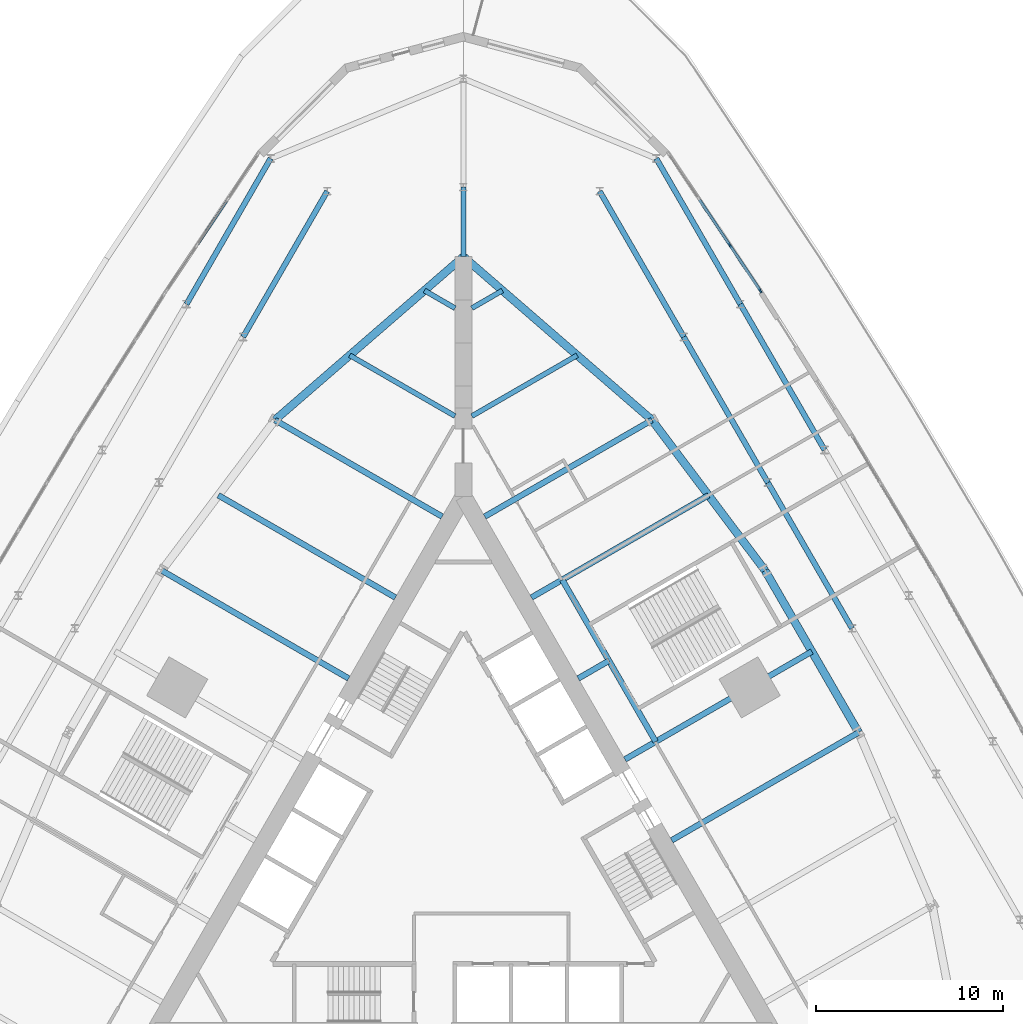
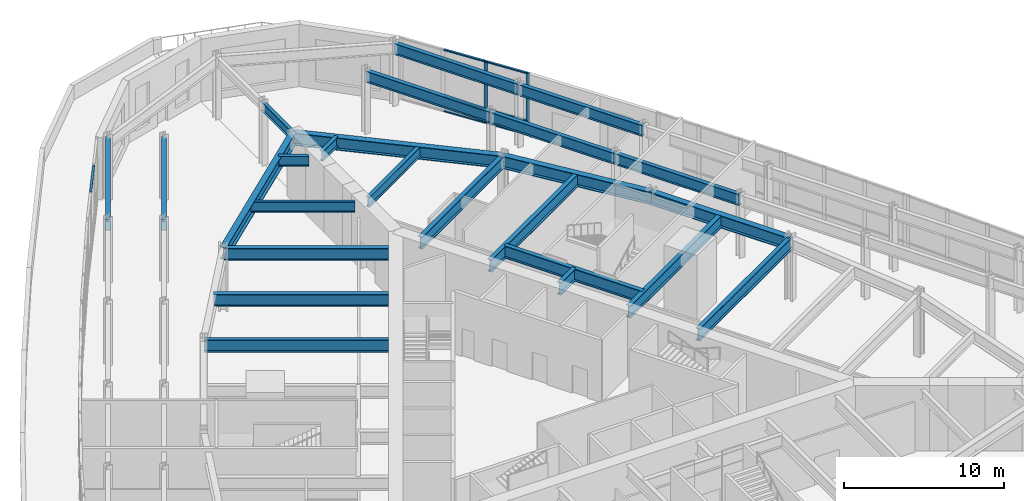
# One storey, part 6 of 20: 25 beams, 9 members, 2 elements without a shape of their own.
"""IFC4 building model written with IfcOpenShell, lengths in metres."""

from ifc_helpers import new_model, si_unit, direction, frame, origin, origin_2d, place, context, subcontext, project, spatial, rectangle, i_section, extrude, material, material_profile, profile_set, type_object, element, aggregate, save


model = new_model("IFC4")

# Units and contexts
model_context = context("Model", 3, precision=1e-05, world=origin(), true_north=direction((0.0, 1.0)))
body_context = subcontext(model_context, "Body", "Model", "MODEL_VIEW")
ifc_project = project(units=[si_unit("LENGTHUNIT", "METRE"), si_unit("AREAUNIT", "SQUARE_METRE"), si_unit("VOLUMEUNIT", "CUBIC_METRE"), si_unit("PLANEANGLEUNIT", "RADIAN"), si_unit("MASSUNIT", "GRAM", prefix="KILO")], contexts=[model_context])

# Site, building, storey
site_placement = place(None, origin())
site = spatial("IfcSite", under=ifc_project, at=site_placement, CompositionType="ELEMENT")
building_placement = place(site_placement, origin())
building = spatial("IfcBuilding", under=site, at=building_placement, Name="Trikona Tower", CompositionType="ELEMENT")
storey_placement = place(building_placement, frame((0.0, 0.0, 6.0)))
storey = spatial("IfcBuildingStorey", under=building, at=storey_placement, Name="L01", CompositionType="ELEMENT", Elevation=6.0)

# Curtain wall, members
ifc_material_1 = material(Name="Aluminium curtain wall system", Category="aluminium")
curtain_wall_type = type_object("IfcCurtainWallType", Name="Curtain wall PD", PredefinedType="NOTDEFINED", material=ifc_material_1)
curtain_wall_1_placement = place(storey_placement, origin())
curtain_wall_1 = element("IfcCurtainWall", 1, at=curtain_wall_1_placement, inside=storey, type_object=curtain_wall_type, Name="Curtain wall PD L01", PredefinedType="NOTDEFINED")
ifc_material_2 = material(Name="Aluminium mullion, pale anodised", Category="aluminium")
ifc_material_profile_1 = material_profile(ifc_material_2, rectangle(XDim=0.090087890625, YDim=0.25, at=origin_2d()), Name="MUL-PD")
ifc_profile_set_1 = profile_set([ifc_material_profile_1], Name="Aluminium mullion, pale anodised")
member_type_1 = type_object("IfcMemberType", Name="Mullion PD 90x250", PredefinedType="MULLION", material=ifc_profile_set_1)
member_1_placement = place(storey_placement, frame((15.878173828125, 30.065185546875, 0.0), z_axis=(0.0, 0.0, 1.0), x_axis=(-0.830852165155, -0.556493198213, 0.0)))
member_1 = element("IfcMember", 2, at=member_1_placement, type_object=member_type_1, Name="CW-PD mullion 1", PredefinedType="MULLION", context=body_context, shape_type="SweptSolid", body=[
    extrude(rectangle(XDim=0.090087890625, YDim=0.25, at=origin_2d()), origin(), (0.0, 0.0, 1.0), 4.75),
])
member_2_placement = place(storey_placement, frame((14.252197265625, 32.49267578125, 0.0), z_axis=(0.0, 0.0, 1.0), x_axis=(-0.830852165155, -0.556493198213, 0.0)))
member_2 = element("IfcMember", 3, at=member_2_placement, type_object=member_type_1, Name="CW-PD mullion 2", PredefinedType="MULLION", context=body_context, shape_type="SweptSolid", body=[
    extrude(rectangle(XDim=0.090087890625, YDim=0.25, at=origin_2d()), origin(), (0.0, 0.0, 1.0), 4.75),
])

# Beams
ifc_material_3 = material(Name="Steel ASTM A992 Grade 50", Category="steel")
ifc_material_profile_2 = material_profile(ifc_material_3, i_section(OverallWidth=0.25390625, OverallDepth=0.683349609375, WebThickness=0.012451171875, FlangeThickness=0.01904296875, at=origin_2d()), Name="W27X94")
ifc_profile_set_2 = profile_set([ifc_material_profile_2], Name="Steel ASTM A992 Grade 50")
beam_type_1 = type_object("IfcBeamType", Name="Steel beam W27x94 (pod radial)", PredefinedType="BEAM", material=ifc_profile_set_2)
beam_1_placement = place(storey_placement, frame((0.0, 31.883544921875, 4.408447265625), z_axis=(0.0, 1.0, 0.0), x_axis=(-1.0, 0.0, 0.0)))
element("IfcBeam", 4, at=beam_1_placement, inside=storey, type_object=beam_type_1, Name="Podium beam L02 RKK1D35.6", PredefinedType="BEAM", context=body_context, shape_type="SweptSolid", body=[
    extrude(i_section(OverallWidth=0.25390625, OverallDepth=0.683349609375, WebThickness=0.012451171875, FlangeThickness=0.01904296875, at=origin_2d()), origin(), (0.0, 0.0, 1.0), 3.716552734375),
])
ifc_material_4 = material(Name="Steel ASTM A992 Grade 50", Category="steel")
ifc_material_profile_3 = material_profile(ifc_material_4, i_section(OverallWidth=0.2666015625, OverallDepth=0.76953125, WebThickness=0.015625, FlangeThickness=0.025390625, at=origin_2d()), Name="W30X132")
ifc_profile_set_3 = profile_set([ifc_material_profile_3], Name="Steel ASTM A992 Grade 50")
beam_type_2 = type_object("IfcBeamType", Name="Steel beam W30x132 (wedge)", PredefinedType="BEAM", material=ifc_profile_set_3)
beam_2_placement = place(storey_placement, frame((0.449951171875, 23.353759765625, 4.365234375), z_axis=(0.866022504693, 0.50000502134, 0.0), x_axis=(-0.50000502134, 0.866022504693, 0.0)))
element("IfcBeam", 5, at=beam_2_placement, inside=storey, type_object=beam_type_2, Name="Floor beam L02 F2 u20", PredefinedType="BEAM", context=body_context, shape_type="SweptSolid", body=[
    extrude(i_section(OverallWidth=0.2666015625, OverallDepth=0.76953125, WebThickness=0.015625, FlangeThickness=0.025390625, at=origin_2d()), origin(), (0.0, 0.0, 1.0), 6.5068359375),
])
for number, where, z_axis, x_axis, name in (
    (6, (0.449951171875, 29.127197265625, 4.365234375), (0.866009237431, 0.5000279999, 0.0), (-0.5000279999, 0.866009237431, 0.0), "Floor beam L02 F2 u25"),
    (7, (-0.449951171875, 29.127197265625, 4.365234375), (-0.866009237431, 0.5000279999, 0.0), (-0.5000279999, -0.866009237431, 0.0), "Floor beam L02 F3 u-25"),
):
    element("IfcBeam", number, at=place(storey_placement, frame(where, z_axis=z_axis, x_axis=x_axis)), inside=storey, type_object=beam_type_2, Name=name, PredefinedType="BEAM", context=body_context, shape_type="SweptSolid", body=[
        extrude(i_section(OverallWidth=0.2666015625, OverallDepth=0.76953125, WebThickness=0.015625, FlangeThickness=0.025390625, at=origin_2d()), origin(), (0.0, 0.0, 1.0), 1.890625),
    ])
beam_3_placement = place(storey_placement, frame((-0.449951171875, 23.353759765625, 4.365234375), z_axis=(-0.866022504693, 0.50000502134, 0.0), x_axis=(-0.50000502134, -0.866022504693, 0.0)))
element("IfcBeam", 8, at=beam_3_placement, inside=storey, type_object=beam_type_2, Name="Floor beam L02 F3 u-20", PredefinedType="BEAM", context=body_context, shape_type="SweptSolid", body=[
    extrude(i_section(OverallWidth=0.2666015625, OverallDepth=0.76953125, WebThickness=0.015625, FlangeThickness=0.025390625, at=origin_2d()), origin(), (0.0, 0.0, 1.0), 6.5068359375),
])
ifc_material_5 = material(Name="Steel ASTM A992 Grade 50", Category="steel")
ifc_material_profile_4 = material_profile(ifc_material_5, i_section(OverallWidth=0.2919921875, OverallDepth=0.845703125, WebThickness=0.015380859375, FlangeThickness=0.0244140625, at=origin_2d()), Name="W33X141")
ifc_profile_set_4 = profile_set([ifc_material_profile_4], Name="Steel ASTM A992 Grade 50")
beam_type_3 = type_object("IfcBeamType", Name="Steel beam W33x141 (pod girder)", PredefinedType="BEAM", material=ifc_profile_set_4)
for number, where, z_axis, x_axis, name in (
    (9, (20.78466796875, 12.0, 4.3271484375), (-0.5000018851, 0.866024315419, 0.0), (-0.866024315419, -0.5000018851, 0.0), "Podium beam L02 GR24F1p0-R24F1p9"),
    (10, (16.28466796875, 19.794189453125, 4.3271484375), (-0.5000018851, 0.866024315419, 0.0), (-0.866024315419, -0.5000018851, 0.0), "Podium beam L02 GR24F1p9-R24F1p18"),
):
    element("IfcBeam", number, at=place(storey_placement, frame(where, z_axis=z_axis, x_axis=x_axis)), inside=storey, type_object=beam_type_3, Name=name, PredefinedType="BEAM", context=body_context, shape_type="SweptSolid", body=[
        extrude(i_section(OverallWidth=0.2919921875, OverallDepth=0.845703125, WebThickness=0.015380859375, FlangeThickness=0.0244140625, at=origin_2d()), origin(), (0.0, 0.0, 1.0), 9.0),
    ])
beam_4_placement = place(storey_placement, frame((11.78466796875, 27.58837890625, 4.3271484375), z_axis=(-0.499990139034, 0.866031096941, 0.0), x_axis=(-0.866031096941, -0.499990139034, 0.0)))
element("IfcBeam", 11, at=beam_4_placement, inside=storey, type_object=beam_type_3, Name="Podium beam L02 GR24F1p18-R24F1p27", PredefinedType="BEAM", context=body_context, shape_type="SweptSolid", body=[
    extrude(i_section(OverallWidth=0.2919921875, OverallDepth=0.845703125, WebThickness=0.015380859375, FlangeThickness=0.0244140625, at=origin_2d()), origin(), (0.0, 0.0, 1.0), 9.000244140625),
])
beam_5_placement = place(storey_placement, frame((19.315673828125, 21.544189453125, 4.3271484375), z_axis=(-0.5000018851, 0.866024315419, 0.0), x_axis=(-0.866024315419, -0.5000018851, 0.0)))
element("IfcBeam", 12, at=beam_5_placement, inside=storey, type_object=beam_type_3, Name="Podium beam L02 GR27.5F1p9-R27.5F1p18", PredefinedType="BEAM", context=body_context, shape_type="SweptSolid", body=[
    extrude(i_section(OverallWidth=0.2919921875, OverallDepth=0.845703125, WebThickness=0.015380859375, FlangeThickness=0.0244140625, at=origin_2d()), origin(), (0.0, 0.0, 1.0), 9.0),
])
for number, where, z_axis, x_axis, name in (
    (13, (14.815673828125, 29.33837890625, 4.3271484375), (-0.499990139034, 0.866031096941, 0.0), (-0.866031096941, -0.499990139034, 0.0), "Podium beam L02 GR27.5F1p18-R27.5F1p27"),
    (14, (-7.28466796875, 35.3828125, 4.3271484375), (-0.499990139034, -0.866031096941, 0.0), (0.866031096941, -0.499990139034, 0.0), "Podium beam L02 GR24F2m27-R24F2m18"),
    (15, (-10.315673828125, 37.1328125, 4.3271484375), (-0.499990139034, -0.866031096941, 0.0), (0.866031096941, -0.499990139034, 0.0), "Podium beam L02 GR27.5F2m27-R27.5F2m18"),
):
    element("IfcBeam", number, at=place(storey_placement, frame(where, z_axis=z_axis, x_axis=x_axis)), inside=storey, type_object=beam_type_3, Name=name, PredefinedType="BEAM", context=body_context, shape_type="SweptSolid", body=[
        extrude(i_section(OverallWidth=0.2919921875, OverallDepth=0.845703125, WebThickness=0.015380859375, FlangeThickness=0.0244140625, at=origin_2d()), origin(), (0.0, 0.0, 1.0), 9.000244140625),
    ])
ifc_material_6 = material(Name="Steel ASTM A992 Grade 50", Category="steel")
ifc_material_profile_5 = material_profile(ifc_material_6, i_section(OverallWidth=0.307373046875, OverallDepth=0.9423828125, WebThickness=0.022216796875, FlangeThickness=0.039794921875, at=origin_2d()), Name="W36X232")
ifc_profile_set_5 = profile_set([ifc_material_profile_5], Name="Steel ASTM A992 Grade 50")
beam_type_4 = type_object("IfcBeamType", Name="Steel beam W36x232 (radial low)", PredefinedType="BEAM", material=ifc_profile_set_5)
for number, where, z_axis, x_axis, name in (
    (16, (11.1396484375, 0.657958984375, 4.27880859375), (0.866020765707, 0.500008033299, 0.0), (-0.500008033299, 0.866020765707, 0.0), "Floor beam L02 F2 u-5"),
    (17, (8.6396484375, 4.988037109375, 4.27880859375), (0.866020765707, 0.500008033299, 0.0), (-0.500008033299, 0.866020765707, 0.0), "Floor beam L02 F2 u0"),
):
    element("IfcBeam", number, at=place(storey_placement, frame(where, z_axis=z_axis, x_axis=x_axis)), inside=storey, type_object=beam_type_4, Name=name, PredefinedType="BEAM", context=body_context, shape_type="SweptSolid", body=[
        extrude(i_section(OverallWidth=0.307373046875, OverallDepth=0.9423828125, WebThickness=0.022216796875, FlangeThickness=0.039794921875, at=origin_2d()), origin(), (0.0, 0.0, 1.0), 11.544189453125),
    ])
beam_6_placement = place(storey_placement, frame((6.1396484375, 9.318359375, 4.27880859375), z_axis=(0.866044365799, 0.499967155389, 0.0), x_axis=(-0.499967155389, 0.866044365799, 0.0)))
element("IfcBeam", 18, at=beam_6_placement, inside=storey, type_object=beam_type_4, Name="Floor beam L02 F2 u5", PredefinedType="BEAM", context=body_context, shape_type="SweptSolid", body=[
    extrude(i_section(OverallWidth=0.307373046875, OverallDepth=0.9423828125, WebThickness=0.022216796875, FlangeThickness=0.039794921875, at=origin_2d()), origin(), (0.0, 0.0, 1.0), 1.900146484375),
])
beam_7_placement = place(storey_placement, frame((3.6396484375, 13.6484375, 4.27880859375), z_axis=(0.866025348605, 0.500000095573, 0.0), x_axis=(-0.500000095573, 0.866025348605, 0.0)))
element("IfcBeam", 19, at=beam_7_placement, inside=storey, type_object=beam_type_4, Name="Floor beam L02 F2 u10", PredefinedType="BEAM", context=body_context, shape_type="SweptSolid", body=[
    extrude(i_section(OverallWidth=0.307373046875, OverallDepth=0.9423828125, WebThickness=0.022216796875, FlangeThickness=0.039794921875, at=origin_2d()), origin(), (0.0, 0.0, 1.0), 10.935546875),
])
beam_8_placement = place(storey_placement, frame((1.1396484375, 17.978515625, 4.27880859375), z_axis=(0.866030471684, 0.499991222037, 0.0), x_axis=(-0.499991222037, 0.866030471684, 0.0)))
element("IfcBeam", 20, at=beam_8_placement, inside=storey, type_object=beam_type_4, Name="Floor beam L02 F2 u15", PredefinedType="BEAM", context=body_context, shape_type="SweptSolid", body=[
    extrude(i_section(OverallWidth=0.307373046875, OverallDepth=0.9423828125, WebThickness=0.022216796875, FlangeThickness=0.039794921875, at=origin_2d()), origin(), (0.0, 0.0, 1.0), 10.326904296875),
])
beam_9_placement = place(storey_placement, frame((10.28515625, 5.93798828125, 4.27880859375), z_axis=(-0.499993662806, 0.866029062534, 0.0), x_axis=(-0.866029062534, -0.499993662806, 0.0)))
element("IfcBeam", 21, at=beam_9_placement, inside=storey, type_object=beam_type_4, Name="Trimmer beam L02 F2 podium stair", PredefinedType="BEAM", context=body_context, shape_type="SweptSolid", body=[
    extrude(i_section(OverallWidth=0.307373046875, OverallDepth=0.9423828125, WebThickness=0.022216796875, FlangeThickness=0.039794921875, at=origin_2d()), origin(), (0.0, 0.0, 1.0), 10.000244140625),
])
beam_10_placement = place(storey_placement, frame((-1.1396484375, 17.978515625, 4.27880859375), z_axis=(-0.866030471684, 0.499991222037, 0.0), x_axis=(-0.499991222037, -0.866030471684, 0.0)))
element("IfcBeam", 22, at=beam_10_placement, inside=storey, type_object=beam_type_4, Name="Floor beam L02 F3 u-15", PredefinedType="BEAM", context=body_context, shape_type="SweptSolid", body=[
    extrude(i_section(OverallWidth=0.307373046875, OverallDepth=0.9423828125, WebThickness=0.022216796875, FlangeThickness=0.039794921875, at=origin_2d()), origin(), (0.0, 0.0, 1.0), 10.326904296875),
])
beam_11_placement = place(storey_placement, frame((-3.6396484375, 13.6484375, 4.27880859375), z_axis=(-0.866025348605, 0.500000095573, 0.0), x_axis=(-0.500000095573, -0.866025348605, 0.0)))
element("IfcBeam", 23, at=beam_11_placement, inside=storey, type_object=beam_type_4, Name="Floor beam L02 F3 u-10", PredefinedType="BEAM", context=body_context, shape_type="SweptSolid", body=[
    extrude(i_section(OverallWidth=0.307373046875, OverallDepth=0.9423828125, WebThickness=0.022216796875, FlangeThickness=0.039794921875, at=origin_2d()), origin(), (0.0, 0.0, 1.0), 10.935546875),
])
beam_12_placement = place(storey_placement, frame((-6.1396484375, 9.318359375, 4.27880859375), z_axis=(-0.866029923217, 0.499992172032, 0.0), x_axis=(-0.499992172032, -0.866029923217, 0.0)))
element("IfcBeam", 24, at=beam_12_placement, inside=storey, type_object=beam_type_4, Name="Floor beam L02 F3 u-5", PredefinedType="BEAM", context=body_context, shape_type="SweptSolid", body=[
    extrude(i_section(OverallWidth=0.307373046875, OverallDepth=0.9423828125, WebThickness=0.022216796875, FlangeThickness=0.039794921875, at=origin_2d()), origin(), (0.0, 0.0, 1.0), 11.544189453125),
])
ifc_material_7 = material(Name="Steel ASTM A992 Grade 50", Category="steel")
ifc_material_profile_6 = material_profile(ifc_material_7, i_section(OverallWidth=0.424072265625, OverallDepth=0.947509765625, WebThickness=0.02392578125, FlangeThickness=0.042724609375, at=origin_2d()), Name="W36X302")
ifc_profile_set_6 = profile_set([ifc_material_profile_6], Name="Steel ASTM A992 Grade 50")
beam_type_5 = type_object("IfcBeamType", Name="Steel beam W36x302 (pod tower spandrel)", PredefinedType="BEAM", material=ifc_profile_set_6)
beam_13_placement = place(storey_placement, frame((21.13720703125, 6.43017578125, 4.2763671875), z_axis=(-0.500004234368, 0.866022959057, 0.0), x_axis=(-0.866022959057, -0.500004234368, 0.0)))
element("IfcBeam", 25, at=beam_13_placement, inside=storey, type_object=beam_type_5, Name="Spandrel beam L02 F2-3", PredefinedType="BEAM", context=body_context, shape_type="SweptSolid", body=[
    extrude(i_section(OverallWidth=0.424072265625, OverallDepth=0.947509765625, WebThickness=0.02392578125, FlangeThickness=0.042724609375, at=origin_2d()), origin(), (0.0, 0.0, 1.0), 10.0),
])
beam_14_placement = place(storey_placement, frame((16.13720703125, 15.09033203125, 4.2763671875), z_axis=(-0.600988344191, 0.799257787042, 0.0), x_axis=(-0.799257787042, -0.600988344191, 0.0)))
element("IfcBeam", 26, at=beam_14_placement, inside=storey, type_object=beam_type_5, Name="Spandrel beam L02 F2-4", PredefinedType="BEAM", context=body_context, shape_type="SweptSolid", body=[
    extrude(i_section(OverallWidth=0.424072265625, OverallDepth=0.947509765625, WebThickness=0.02392578125, FlangeThickness=0.042724609375, at=origin_2d()), origin(), (0.0, 0.0, 1.0), 10.07373046875),
])
for number, where, z_axis, x_axis, name in (
    (27, (10.0830078125, 23.141845703125, 4.2763671875), (-0.755646822726, 0.654979296851, 0.0), (-0.654979296851, -0.755646822726, 0.0), "Spandrel beam L02 F2-5"),
    (28, (0.0, 31.881591796875, 4.2763671875), (-0.755646822726, -0.654979296851, 0.0), (0.654979296851, -0.755646822726, 0.0), "Spandrel beam L02 F3-1"),
):
    element("IfcBeam", number, at=place(storey_placement, frame(where, z_axis=z_axis, x_axis=x_axis)), inside=storey, type_object=beam_type_5, Name=name, PredefinedType="BEAM", context=body_context, shape_type="SweptSolid", body=[
        extrude(i_section(OverallWidth=0.424072265625, OverallDepth=0.947509765625, WebThickness=0.02392578125, FlangeThickness=0.042724609375, at=origin_2d()), origin(), (0.0, 0.0, 1.0), 13.343505859375),
    ])

# Member
ifc_material_8 = material(Name="Aluminium transom, pale anodised", Category="aluminium")
ifc_material_profile_7 = material_profile(ifc_material_8, rectangle(XDim=0.14990234375, YDim=0.090087890625, at=origin_2d()), Name="TRN-PD")
ifc_profile_set_7 = profile_set([ifc_material_profile_7], Name="Aluminium transom, pale anodised")
member_type_2 = type_object("IfcMemberType", Name="Transom PD 90x150", PredefinedType="USERDEFINED", material=ifc_profile_set_7)
member_3_placement = place(storey_placement, frame((15.85302734375, 30.1025390625, 0.044921875), z_axis=(-0.556549235475, 0.83081462944, 0.0), x_axis=(-0.83081462944, -0.556549235475, 0.0)))
member_3 = element("IfcMember", 29, at=member_3_placement, type_object=member_type_2, Name="CW-PD transom 1.1", ObjectType="TRANSOM", PredefinedType="USERDEFINED", context=body_context, shape_type="SweptSolid", body=[
    extrude(rectangle(XDim=0.14990234375, YDim=0.090087890625, at=origin_2d()), origin(), (0.0, 0.0, 1.0), 2.83154296875),
])

member_4_placement = place(storey_placement, frame((15.85302734375, 30.1025390625, 1.10009765625), z_axis=(-0.556549235475, 0.83081462944, 0.0), x_axis=(-0.83081462944, -0.556549235475, 0.0)))
member_4 = element("IfcMember", 30, at=member_4_placement, type_object=member_type_2, Name="CW-PD transom 1.2", ObjectType="TRANSOM", PredefinedType="USERDEFINED", context=body_context, shape_type="SweptSolid", body=[
    extrude(rectangle(XDim=0.14990234375, YDim=0.090087890625, at=origin_2d()), origin(), (0.0, 0.0, 1.0), 2.83154296875),
])

member_5_placement = place(storey_placement, frame((15.85302734375, 30.1025390625, 4.705078125), z_axis=(-0.556549235475, 0.83081462944, 0.0), x_axis=(-0.83081462944, -0.556549235475, 0.0)))
member_5 = element("IfcMember", 31, at=member_5_placement, type_object=member_type_2, Name="CW-PD transom 1.3", ObjectType="TRANSOM", PredefinedType="USERDEFINED", context=body_context, shape_type="SweptSolid", body=[
    extrude(rectangle(XDim=0.14990234375, YDim=0.090087890625, at=origin_2d()), origin(), (0.0, 0.0, 1.0), 2.83154296875),
])

member_6_placement = place(storey_placement, frame((14.22705078125, 32.530029296875, 0.044921875), z_axis=(-0.556481157106, 0.830860229994, 0.0), x_axis=(-0.830860229994, -0.556481157106, 0.0)))
member_6 = element("IfcMember", 32, at=member_6_placement, type_object=member_type_2, Name="CW-PD transom 2.1", ObjectType="TRANSOM", PredefinedType="USERDEFINED", context=body_context, shape_type="SweptSolid", body=[
    extrude(rectangle(XDim=0.14990234375, YDim=0.090087890625, at=origin_2d()), origin(), (0.0, 0.0, 1.0), 2.876708984375),
])

member_7_placement = place(storey_placement, frame((14.22705078125, 32.530029296875, 1.10009765625), z_axis=(-0.556481157106, 0.830860229994, 0.0), x_axis=(-0.830860229994, -0.556481157106, 0.0)))
member_7 = element("IfcMember", 33, at=member_7_placement, type_object=member_type_2, Name="CW-PD transom 2.2", ObjectType="TRANSOM", PredefinedType="USERDEFINED", context=body_context, shape_type="SweptSolid", body=[
    extrude(rectangle(XDim=0.14990234375, YDim=0.090087890625, at=origin_2d()), origin(), (0.0, 0.0, 1.0), 2.876708984375),
])

member_8_placement = place(storey_placement, frame((14.22705078125, 32.530029296875, 4.705078125), z_axis=(-0.556481157106, 0.830860229994, 0.0), x_axis=(-0.830860229994, -0.556481157106, 0.0)))
member_8 = element("IfcMember", 34, at=member_8_placement, type_object=member_type_2, Name="CW-PD transom 2.3", ObjectType="TRANSOM", PredefinedType="USERDEFINED", context=body_context, shape_type="SweptSolid", body=[
    extrude(rectangle(XDim=0.14990234375, YDim=0.090087890625, at=origin_2d()), origin(), (0.0, 0.0, 1.0), 2.876708984375),
])

aggregate(curtain_wall_1, [member_1, member_2, member_3, member_4, member_5, member_6, member_7, member_8])

# Curtain wall, member
curtain_wall_2_placement = place(storey_placement, origin())
curtain_wall_2 = element("IfcCurtainWall", 35, at=curtain_wall_2_placement, inside=storey, type_object=curtain_wall_type, Name="Curtain wall PD L01", PredefinedType="NOTDEFINED")
member_9_placement = place(storey_placement, frame((-12.626220703125, 34.920166015625, 4.705078125), z_axis=(-0.556481157106, -0.830860229994, 0.0), x_axis=(0.830860229994, -0.556481157106, 0.0)))
member_9 = element("IfcMember", 36, at=member_9_placement, type_object=member_type_2, Name="CW-PD transom 2.3", ObjectType="TRANSOM", PredefinedType="USERDEFINED", context=body_context, shape_type="SweptSolid", body=[
    extrude(rectangle(XDim=0.14990234375, YDim=0.090087890625, at=origin_2d()), origin(), (0.0, 0.0, 1.0), 2.876708984375),
])
aggregate(curtain_wall_2, [member_9])

save(model, "model.ifc")
